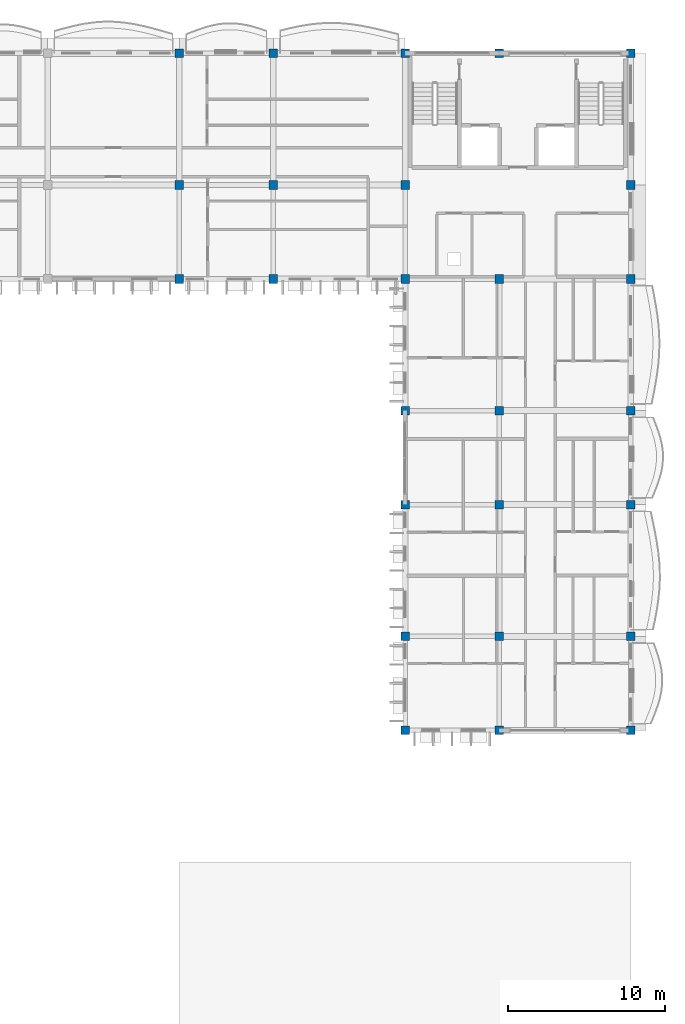
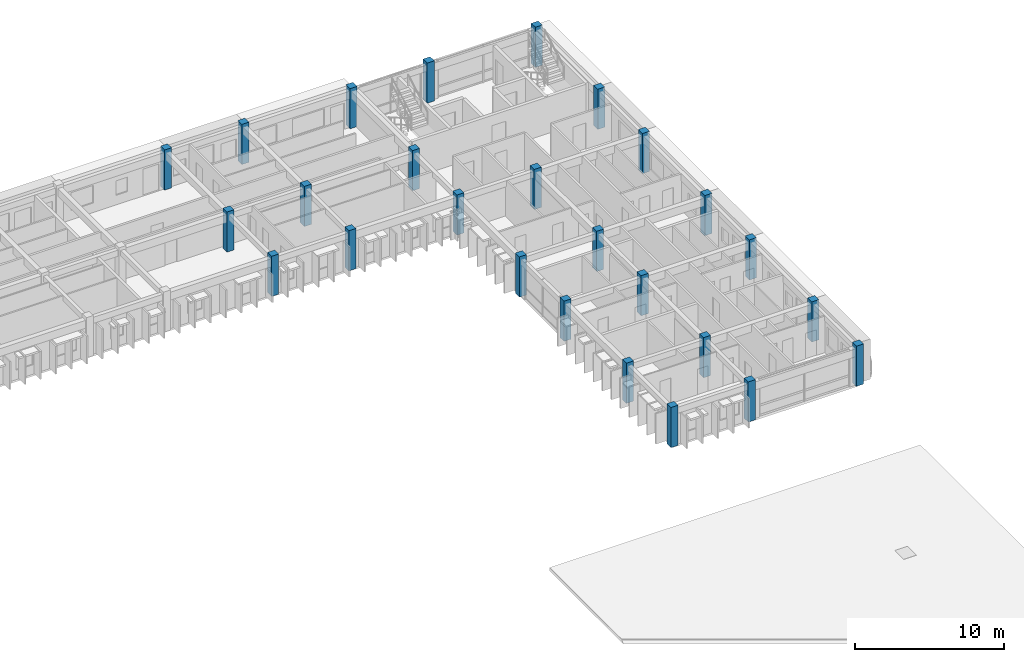
# One storey, part 2 of 54: 26 columns.
"""IFC4 building model written with IfcOpenShell, lengths in metres."""

from ifc_helpers import new_model, si_unit, direction, frame, origin, origin_2d, place, context, subcontext, project, spatial, rectangle, extrude, material, material_profile, profile_set, type_object, element, save


model = new_model("IFC4")

# Units and contexts
model_context = context("Model", 3, precision=1e-05, world=origin(), true_north=direction((0.0, 1.0)))
body_context = subcontext(model_context, "Body", "Model", "MODEL_VIEW")
ifc_project = project(units=[si_unit("LENGTHUNIT", "METRE"), si_unit("AREAUNIT", "SQUARE_METRE"), si_unit("VOLUMEUNIT", "CUBIC_METRE"), si_unit("PLANEANGLEUNIT", "RADIAN"), si_unit("MASSUNIT", "GRAM", prefix="KILO"), si_unit("THERMODYNAMICTEMPERATUREUNIT", "KELVIN")], contexts=[model_context])

# Site, building, storey
site_placement = place(None, origin())
site = spatial("IfcSite", under=ifc_project, at=site_placement, CompositionType="ELEMENT")
building_placement = place(site_placement, origin())
building = spatial("IfcBuilding", under=site, at=building_placement, Name="Thalorik Housing Commons", CompositionType="ELEMENT")
storey_placement = place(building_placement, frame((0.0, 0.0, 31.199951171875)))
storey = spatial("IfcBuildingStorey", under=building, at=storey_placement, Name="L09", CompositionType="ELEMENT", Elevation=31.199951171875)

# Columns
ifc_material = material(Name="Precast concrete C40/50", Category="concrete")
ifc_material_profile = material_profile(ifc_material, rectangle(XDim=0.550048828125, YDim=0.550048828125, at=origin_2d()), Name="PC 550x550", Category="concrete")
ifc_profile_set = profile_set([ifc_material_profile], Name="Precast concrete C40/50")
column_type = type_object("IfcColumnType", Name="STR-COL-PC550", PredefinedType="COLUMN", material=ifc_profile_set)
for number, where, z_axis, x_axis, name in (
    (1, (138.0, 109.199951171875, 0.0), (0.0, 0.0, 1.0), (1.0, 0.0, 0.0), "L09 Column C-550"),
    (2, (138.0, 115.199951171875, 0.0), (0.0, 0.0, 1.0), (1.0, 0.0, 0.0), "L09 Column C-550"),
    (3, (138.0, 123.60009765625, 0.0), (0.0, 0.0, 1.0), (1.0, 0.0, 0.0), "L09 Column C-550"),
    (4, (144.0, 109.199951171875, 0.0), (0.0, 0.0, 1.0), (1.0, 0.0, 0.0), "L09 Column C-550"),
    (5, (144.0, 115.199951171875, 0.0), (0.0, 0.0, 1.0), (1.0, 0.0, 0.0), "L09 Column C-550"),
    (6, (144.0, 123.60009765625, 0.0), (0.0, 0.0, 1.0), (1.0, 0.0, 0.0), "L09 Column C-550"),
    (7, (152.39990234375, 80.39990234375, 0.0), (0.0, 0.0, 1.0), (1.0, 0.0, 0.0), "L09 Column C-550"),
    (8, (152.39990234375, 86.39990234375, 0.0), (0.0, 0.0, 1.0), (1.0, 0.0, 0.0), "L09 Column C-550"),
    (9, (152.39990234375, 94.800048828125, 0.0), (0.0, 0.0, 1.0), (1.0, 0.0, 0.0), "L09 Column C-550"),
    (10, (152.39990234375, 100.800048828125, 0.0), (0.0, 0.0, 1.0), (1.0, 0.0, 0.0), "L09 Column C-550"),
    (11, (152.39990234375, 109.199951171875, 0.0), (0.0, 0.0, 1.0), (1.0, 0.0, 0.0), "L09 Column C-550"),
    (12, (152.39990234375, 115.199951171875, 0.0), (0.0, 0.0, 1.0), (1.0, 0.0, 0.0), "L09 Column C-550"),
    (13, (152.39990234375, 123.60009765625, 0.0), (0.0, 0.0, 1.0), (1.0, 0.0, 0.0), "L09 Column C-550"),
    (14, (158.39990234375, 80.39990234375, 0.0), (0.0, 0.0, 1.0), (1.0, 0.0, 0.0), "L09 Column C-550"),
    (15, (158.39990234375, 86.39990234375, 0.0), (0.0, 0.0, 1.0), (1.0, 0.0, 0.0), "L09 Column C-550"),
    (16, (158.39990234375, 94.800048828125, 0.0), (0.0, 0.0, 1.0), (1.0, 0.0, 0.0), "L09 Column C-550"),
    (17, (158.39990234375, 100.800048828125, 0.0), (0.0, 0.0, 1.0), (1.0, 0.0, 0.0), "L09 Column C-550"),
    (18, (158.39990234375, 109.199951171875, 0.0), (0.0, 0.0, 1.0), (1.0, 0.0, 0.0), "L09 Column C-550"),
    (19, (158.39990234375, 123.60009765625, 0.0), (0.0, 0.0, 1.0), (1.0, 0.0, 0.0), "L09 Column C-550"),
    (20, (166.800048828125, 80.39990234375, 0.0), (0.0, 0.0, 1.0), (1.0, 0.0, 0.0), "L09 Column C-550"),
    (21, (166.800048828125, 86.39990234375, 0.0), (0.0, 0.0, 1.0), (1.0, 0.0, 0.0), "L09 Column C-550"),
    (22, (166.800048828125, 94.800048828125, 0.0), (0.0, 0.0, 1.0), (1.0, 0.0, 0.0), "L09 Column C-550"),
    (23, (166.800048828125, 100.800048828125, 0.0), (0.0, 0.0, 1.0), (1.0, 0.0, 0.0), "L09 Column C-550"),
    (24, (166.800048828125, 109.199951171875, 0.0), (0.0, 0.0, 1.0), (1.0, 0.0, 0.0), "L09 Column C-550"),
    (25, (166.800048828125, 115.199951171875, 0.0), (0.0, 0.0, 1.0), (1.0, 0.0, 0.0), "L09 Column C-550"),
    (26, (166.800048828125, 123.60009765625, 0.0), (0.0, 0.0, 1.0), (1.0, 0.0, 0.0), "L09 Column C-550"),
):
    element("IfcColumn", number, at=place(storey_placement, frame(where, z_axis=z_axis, x_axis=x_axis)), inside=storey, type_object=column_type, Name=name, PredefinedType="COLUMN", context=body_context, shape_type="SweptSolid", body=[
        extrude(rectangle(XDim=0.550048828125, YDim=0.550048828125, at=origin_2d()), origin(), (0.0, 0.0, 1.0), 3.300048828125),
    ])

save(model, "model.ifc")
